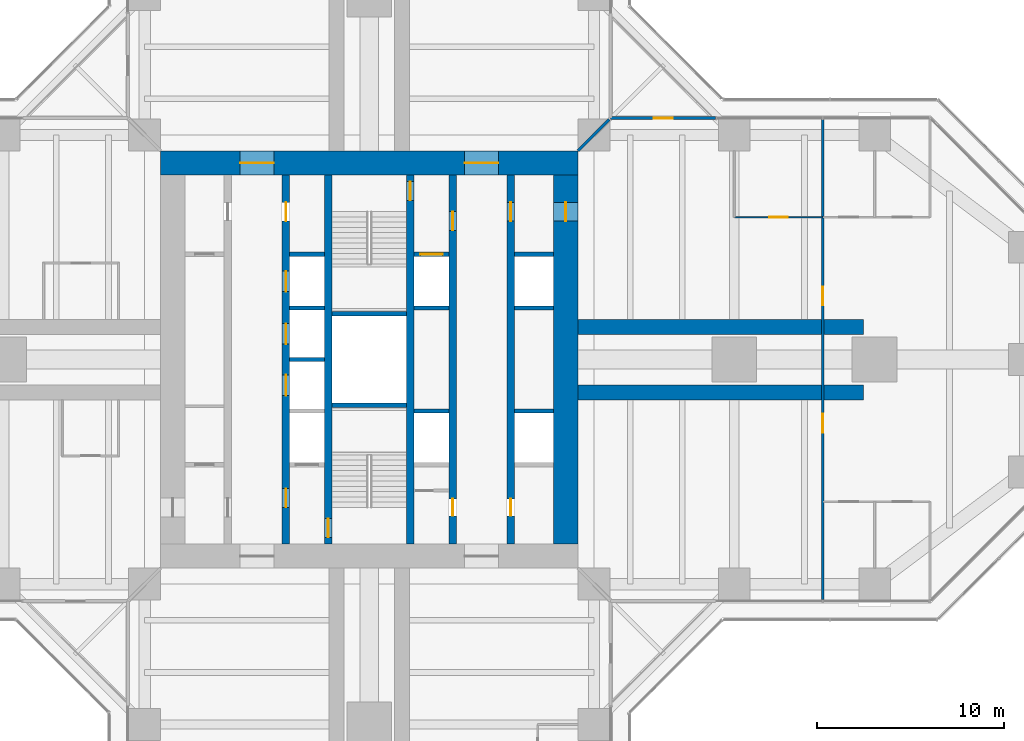
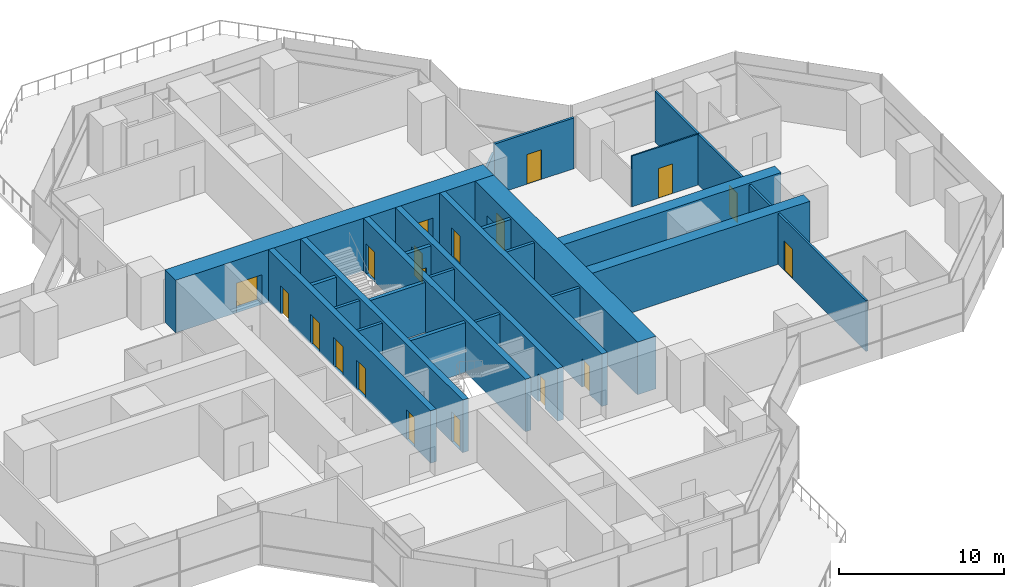
# One storey, part 18 of 21: 24 walls, 19 doors, 19 openings.
"""IFC4 building model written with IfcOpenShell, lengths in metres."""

from ifc_helpers import new_model, si_unit, direction, frame, frame_2d, origin, place, context, subcontext, project, spatial, rectangle, extrude, material, layer, layer_set, type_object, element, fill, save


model = new_model("IFC4")

# Units and contexts
model_context = context("Model", 3, precision=1e-05, world=origin(), true_north=direction((0.0, 1.0)))
body_context = subcontext(model_context, "Body", "Model", "MODEL_VIEW")
ifc_project = project(units=[si_unit("LENGTHUNIT", "METRE"), si_unit("AREAUNIT", "SQUARE_METRE"), si_unit("VOLUMEUNIT", "CUBIC_METRE"), si_unit("PLANEANGLEUNIT", "RADIAN"), si_unit("MASSUNIT", "GRAM", prefix="KILO")], contexts=[model_context])

# Site, building, storey
site_placement = place(None, origin())
site = spatial("IfcSite", under=ifc_project, at=site_placement, CompositionType="ELEMENT")
building_placement = place(site_placement, origin())
building = spatial("IfcBuilding", under=site, at=building_placement, Name="Mizan Broadcast Tower", CompositionType="ELEMENT")
storey_placement = place(building_placement, frame((0.0, 0.0, 124.199951171875)))
storey = spatial("IfcBuildingStorey", under=building, at=storey_placement, Name="L27", CompositionType="ELEMENT", Elevation=124.199951171875)

# Wall, openings, doors
ifc_material_1 = material(Name="Concrete C70/85", Category="concrete")
ifc_layer_1 = layer(ifc_material_1, 0.39990234375)
ifc_layer_set_1 = layer_set([ifc_layer_1], Name="Concrete C70/85")
wall_type_1 = type_object("IfcWallType", Name="CORE INTERNAL WALL 400", PredefinedType="SHEAR", material=ifc_layer_set_1)
wall_1_placement = place(storey_placement, frame((7.550048828125, 9.85009765625, 0.0), z_axis=(0.0, 0.0, 1.0), x_axis=(0.0, -1.0, 0.0)))
wall_1 = element("IfcWall", 1, at=wall_1_placement, inside=storey, type_object=wall_type_1, Name="Core wall CORE/XW1E", PredefinedType="SHEAR", context=body_context, shape_type="SweptSolid", body=[
    extrude(rectangle(XDim=19.7001953125, YDim=0.39990234375, at=frame_2d((9.85009765625, 0.0))), origin(), (0.0, 0.0, 1.0), 3.900146484375),
])
opening_1_placement = place(wall_1_placement, frame((1.449951171875, 0.0, 0.0)))
opening_1 = element("IfcOpeningElement", 2, at=opening_1_placement, cuts=wall_1, Name="Opening D10F", PredefinedType="OPENING", context=body_context, shape_type="SweptSolid", body=[
    extrude(rectangle(XDim=1.0, YDim=2.199951171875, at=frame_2d((0.5, 1.10009765625))), frame((0.0, 0.2099609375, 0.0), z_axis=(0.0, -1.0, 0.0), x_axis=(1.0, 0.0, 0.0)), (0.0, 0.0, 1.0), 0.419921875),
])
opening_2_placement = place(wall_1_placement, frame((17.300048828125, 0.0, 0.0)))
opening_2 = element("IfcOpeningElement", 3, at=opening_2_placement, cuts=wall_1, Name="Opening D09", PredefinedType="OPENING", context=body_context, shape_type="SweptSolid", body=[
    extrude(rectangle(XDim=0.89990234375, YDim=2.10009765625, at=frame_2d((0.449951171875, 1.050048828125))), frame((0.0, 0.2099609375, 0.0), z_axis=(0.0, -1.0, 0.0), x_axis=(1.0, 0.0, 0.0)), (0.0, 0.0, 1.0), 0.419921875),
])
ifc_material_2 = material(Name="Steel door leaf in steel frame", Category="steel")
door_type_1 = type_object("IfcDoorType", Name="FIRE DOOR 1000 FD90", OperationType="SINGLE_SWING_LEFT", PredefinedType="DOOR", material=ifc_material_2)
door_1_placement = place(opening_1_placement, origin())
door_1 = element("IfcDoor", 4, at=door_1_placement, inside=storey, type_object=door_type_1, Name="East core passage door", OperationType="SINGLE_SWING_LEFT", OverallHeight=2.199951171875, OverallWidth=1.0, PredefinedType="DOOR", context=body_context, shape_type="SweptSolid", body=[
    extrude(rectangle(XDim=1.0, YDim=2.199951171875, at=frame_2d((0.5, 1.10009765625))), frame((0.0, 0.02490234375, 0.0), z_axis=(0.0, -1.0, 0.0), x_axis=(1.0, 0.0, 0.0)), (0.0, 0.0, 1.0), 0.050048828125),
])
fill(opening_1, door_1)
ifc_material_3 = material(Name="Timber door leaf in aluminium frame", Category="wood")
door_type_2 = type_object("IfcDoorType", Name="TOILET DOOR 900", OperationType="SINGLE_SWING_LEFT", PredefinedType="DOOR", material=ifc_material_3)
door_2_placement = place(opening_2_placement, origin())
door_2 = element("IfcDoor", 5, at=door_2_placement, inside=storey, type_object=door_type_2, Name="Female WC door", OperationType="SINGLE_SWING_RIGHT", OverallHeight=2.10009765625, OverallWidth=0.89990234375, PredefinedType="DOOR", context=body_context, shape_type="SweptSolid", body=[
    extrude(rectangle(XDim=0.89990234375, YDim=2.10009765625, at=frame_2d((0.449951171875, 1.050048828125))), frame((0.0, 0.02490234375, 0.0), z_axis=(0.0, -1.0, 0.0), x_axis=(1.0, 0.0, 0.0)), (0.0, 0.0, 1.0), 0.050048828125),
])
fill(opening_2, door_2)

wall_2_placement = place(storey_placement, frame((-4.449951171875, -9.85009765625, 0.0), z_axis=(0.0, 0.0, 1.0), x_axis=(0.0, 1.0, 0.0)))
wall_2 = element("IfcWall", 6, at=wall_2_placement, inside=storey, type_object=wall_type_1, Name="Core wall CORE/XWH", PredefinedType="SHEAR", context=body_context, shape_type="SweptSolid", body=[
    extrude(rectangle(XDim=19.7001953125, YDim=0.39990234375, at=frame_2d((9.85009765625, 0.0))), origin(), (0.0, 0.0, 1.0), 3.900146484375),
])
opening_3_placement = place(wall_2_placement, frame((1.949951171875, 0.0, 0.0)))
opening_3 = element("IfcOpeningElement", 7, at=opening_3_placement, cuts=wall_2, Name="Opening D10F", PredefinedType="OPENING", context=body_context, shape_type="SweptSolid", body=[
    extrude(rectangle(XDim=1.0, YDim=2.199951171875, at=frame_2d((0.5, 1.10009765625))), frame((0.0, 0.2099609375, 0.0), z_axis=(0.0, -1.0, 0.0), x_axis=(1.0, 0.0, 0.0)), (0.0, 0.0, 1.0), 0.419921875),
])
opening_4_placement = place(wall_2_placement, frame((17.25, 0.0, 0.0)))
opening_4 = element("IfcOpeningElement", 8, at=opening_4_placement, cuts=wall_2, Name="Opening D10A", PredefinedType="OPENING", context=body_context, shape_type="SweptSolid", body=[
    extrude(rectangle(XDim=1.0, YDim=2.10009765625, at=frame_2d((0.5, 1.050048828125))), frame((0.0, 0.2099609375, 0.0), z_axis=(0.0, -1.0, 0.0), x_axis=(1.0, 0.0, 0.0)), (0.0, 0.0, 1.0), 0.419921875),
])
opening_5_placement = place(wall_2_placement, frame((7.925048828125, 0.0, 0.0)))
opening_5 = element("IfcOpeningElement", 9, at=opening_5_placement, cuts=wall_2, Name="Opening LD", PredefinedType="OPENING", context=body_context, shape_type="SweptSolid", body=[
    extrude(rectangle(XDim=1.10009765625, YDim=2.199951171875, at=frame_2d((0.550048828125, 1.10009765625))), frame((0.0, 0.2099609375, 0.0), z_axis=(0.0, -1.0, 0.0), x_axis=(1.0, 0.0, 0.0)), (0.0, 0.0, 1.0), 0.419921875),
])
opening_6_placement = place(wall_2_placement, frame((10.675048828125, 0.0, 0.0)))
opening_6 = element("IfcOpeningElement", 10, at=opening_6_placement, cuts=wall_2, Name="Opening LD", PredefinedType="OPENING", context=body_context, shape_type="SweptSolid", body=[
    extrude(rectangle(XDim=1.10009765625, YDim=2.199951171875, at=frame_2d((0.550048828125, 1.10009765625))), frame((0.0, 0.2099609375, 0.0), z_axis=(0.0, -1.0, 0.0), x_axis=(1.0, 0.0, 0.0)), (0.0, 0.0, 1.0), 0.419921875),
])
opening_7_placement = place(wall_2_placement, frame((13.47509765625, 0.0, 0.0)))
opening_7 = element("IfcOpeningElement", 11, at=opening_7_placement, cuts=wall_2, Name="Opening LD", PredefinedType="OPENING", context=body_context, shape_type="SweptSolid", body=[
    extrude(rectangle(XDim=1.10009765625, YDim=2.199951171875, at=frame_2d((0.550048828125, 1.10009765625))), frame((0.0, 0.2099609375, 0.0), z_axis=(0.0, -1.0, 0.0), x_axis=(1.0, 0.0, 0.0)), (0.0, 0.0, 1.0), 0.419921875),
])
ifc_material_4 = material(Name="Timber door leaf in aluminium frame", Category="wood")
door_type_3 = type_object("IfcDoorType", Name="ACCESSIBLE WC DOOR 1000", OperationType="SLIDING_TO_LEFT", PredefinedType="DOOR", material=ifc_material_4)
door_3_placement = place(opening_4_placement, origin())
door_3 = element("IfcDoor", 12, at=door_3_placement, inside=storey, type_object=door_type_3, Name="Accessible WC door", OperationType="SLIDING_TO_LEFT", OverallHeight=2.10009765625, OverallWidth=1.0, PredefinedType="DOOR", context=body_context, shape_type="SweptSolid", body=[
    extrude(rectangle(XDim=1.0, YDim=2.10009765625, at=frame_2d((0.5, 1.050048828125))), frame((0.0, 0.02490234375, 0.0), z_axis=(0.0, -1.0, 0.0), x_axis=(1.0, 0.0, 0.0)), (0.0, 0.0, 1.0), 0.050048828125),
])
fill(opening_4, door_3)
door_4_placement = place(opening_3_placement, origin())
door_4 = element("IfcDoor", 13, at=door_4_placement, inside=storey, type_object=door_type_1, Name="Firefighting lobby A door", OperationType="SINGLE_SWING_LEFT", OverallHeight=2.199951171875, OverallWidth=1.0, PredefinedType="DOOR", context=body_context, shape_type="SweptSolid", body=[
    extrude(rectangle(XDim=1.0, YDim=2.199951171875, at=frame_2d((0.5, 1.10009765625))), frame((0.0, 0.02490234375, 0.0), z_axis=(0.0, -1.0, 0.0), x_axis=(1.0, 0.0, 0.0)), (0.0, 0.0, 1.0), 0.050048828125),
])
fill(opening_3, door_4)
ifc_material_5 = material(Name="Steel door leaf in steel frame", Category="steel")
door_type_4 = type_object("IfcDoorType", Name="LIFT LANDING DOOR 1100", OperationType="SLIDING_TO_LEFT", PredefinedType="DOOR", material=ifc_material_5)
door_5_placement = place(opening_5_placement, origin())
door_5 = element("IfcDoor", 14, at=door_5_placement, inside=storey, type_object=door_type_4, Name="Landing door LB1", OperationType="SLIDING_TO_LEFT", OverallHeight=2.199951171875, OverallWidth=1.10009765625, PredefinedType="DOOR", context=body_context, shape_type="SweptSolid", body=[
    extrude(rectangle(XDim=1.10009765625, YDim=2.199951171875, at=frame_2d((0.550048828125, 1.10009765625))), frame((0.0, 0.02490234375, 0.0), z_axis=(0.0, -1.0, 0.0), x_axis=(1.0, 0.0, 0.0)), (0.0, 0.0, 1.0), 0.050048828125),
])
fill(opening_5, door_5)
door_6_placement = place(opening_6_placement, origin())
door_6 = element("IfcDoor", 15, at=door_6_placement, inside=storey, type_object=door_type_4, Name="Landing door LB2", OperationType="SLIDING_TO_LEFT", OverallHeight=2.199951171875, OverallWidth=1.10009765625, PredefinedType="DOOR", context=body_context, shape_type="SweptSolid", body=[
    extrude(rectangle(XDim=1.10009765625, YDim=2.199951171875, at=frame_2d((0.550048828125, 1.10009765625))), frame((0.0, 0.02490234375, 0.0), z_axis=(0.0, -1.0, 0.0), x_axis=(1.0, 0.0, 0.0)), (0.0, 0.0, 1.0), 0.050048828125),
])
fill(opening_6, door_6)
door_7_placement = place(opening_7_placement, origin())
door_7 = element("IfcDoor", 16, at=door_7_placement, inside=storey, type_object=door_type_4, Name="Landing door LB3", OperationType="SLIDING_TO_LEFT", OverallHeight=2.199951171875, OverallWidth=1.10009765625, PredefinedType="DOOR", context=body_context, shape_type="SweptSolid", body=[
    extrude(rectangle(XDim=1.10009765625, YDim=2.199951171875, at=frame_2d((0.550048828125, 1.10009765625))), frame((0.0, 0.02490234375, 0.0), z_axis=(0.0, -1.0, 0.0), x_axis=(1.0, 0.0, 0.0)), (0.0, 0.0, 1.0), 0.050048828125),
])
fill(opening_7, door_7)

wall_3_placement = place(storey_placement, frame((4.449951171875, 9.85009765625, 0.0), z_axis=(0.0, 0.0, 1.0), x_axis=(0.0, -1.0, 0.0)))
wall_3 = element("IfcWall", 17, at=wall_3_placement, inside=storey, type_object=wall_type_1, Name="Core wall CORE/XWHE", PredefinedType="SHEAR", context=body_context, shape_type="SweptSolid", body=[
    extrude(rectangle(XDim=19.7001953125, YDim=0.39990234375, at=frame_2d((9.85009765625, 0.0))), origin(), (0.0, 0.0, 1.0), 3.900146484375),
])
opening_8_placement = place(wall_3_placement, frame((1.949951171875, 0.0, 0.0)))
opening_8 = element("IfcOpeningElement", 18, at=opening_8_placement, cuts=wall_3, Name="Opening D10F", PredefinedType="OPENING", context=body_context, shape_type="SweptSolid", body=[
    extrude(rectangle(XDim=1.0, YDim=2.199951171875, at=frame_2d((0.5, 1.10009765625))), frame((0.0, 0.2099609375, 0.0), z_axis=(0.0, -1.0, 0.0), x_axis=(1.0, 0.0, 0.0)), (0.0, 0.0, 1.0), 0.419921875),
])
opening_9_placement = place(wall_3_placement, frame((17.300048828125, 0.0, 0.0)))
opening_9 = element("IfcOpeningElement", 19, at=opening_9_placement, cuts=wall_3, Name="Opening D09", PredefinedType="OPENING", context=body_context, shape_type="SweptSolid", body=[
    extrude(rectangle(XDim=0.89990234375, YDim=2.10009765625, at=frame_2d((0.449951171875, 1.050048828125))), frame((0.0, 0.2099609375, 0.0), z_axis=(0.0, -1.0, 0.0), x_axis=(1.0, 0.0, 0.0)), (0.0, 0.0, 1.0), 0.419921875),
])
door_8_placement = place(opening_8_placement, origin())
door_8 = element("IfcDoor", 20, at=door_8_placement, inside=storey, type_object=door_type_1, Name="Firefighting lobby B door", OperationType="SINGLE_SWING_LEFT", OverallHeight=2.199951171875, OverallWidth=1.0, PredefinedType="DOOR", context=body_context, shape_type="SweptSolid", body=[
    extrude(rectangle(XDim=1.0, YDim=2.199951171875, at=frame_2d((0.5, 1.10009765625))), frame((0.0, 0.02490234375, 0.0), z_axis=(0.0, -1.0, 0.0), x_axis=(1.0, 0.0, 0.0)), (0.0, 0.0, 1.0), 0.050048828125),
])
fill(opening_8, door_8)
door_9_placement = place(opening_9_placement, origin())
door_9 = element("IfcDoor", 21, at=door_9_placement, inside=storey, type_object=door_type_2, Name="Cleaner's store door", OperationType="SINGLE_SWING_RIGHT", OverallHeight=2.10009765625, OverallWidth=0.89990234375, PredefinedType="DOOR", context=body_context, shape_type="SweptSolid", body=[
    extrude(rectangle(XDim=0.89990234375, YDim=2.10009765625, at=frame_2d((0.449951171875, 1.050048828125))), frame((0.0, 0.02490234375, 0.0), z_axis=(0.0, -1.0, 0.0), x_axis=(1.0, 0.0, 0.0)), (0.0, 0.0, 1.0), 0.050048828125),
])
fill(opening_9, door_9)

# Wall, opening, door
wall_4_placement = place(storey_placement, frame((-2.199951171875, -9.85009765625, 0.0), z_axis=(0.0, 0.0, 1.0), x_axis=(0.0, 1.0, 0.0)))
wall_4 = element("IfcWall", 22, at=wall_4_placement, inside=storey, type_object=wall_type_1, Name="Core wall CORE/XW2", PredefinedType="SHEAR", context=body_context, shape_type="SweptSolid", body=[
    extrude(rectangle(XDim=19.7001953125, YDim=0.39990234375, at=frame_2d((9.85009765625, 0.0))), origin(), (0.0, 0.0, 1.0), 3.900146484375),
])
opening_10_placement = place(wall_4_placement, frame((0.35009765625, 0.0, 0.0)))
opening_10 = element("IfcOpeningElement", 23, at=opening_10_placement, cuts=wall_4, Name="Opening D10S", PredefinedType="OPENING", context=body_context, shape_type="SweptSolid", body=[
    extrude(rectangle(XDim=1.0, YDim=2.199951171875, at=frame_2d((0.5, 1.10009765625))), frame((0.0, 0.2099609375, 0.0), z_axis=(0.0, -1.0, 0.0), x_axis=(1.0, 0.0, 0.0)), (0.0, 0.0, 1.0), 0.419921875),
])
ifc_material_6 = material(Name="Steel door leaf in steel frame", Category="steel")
door_type_5 = type_object("IfcDoorType", Name="STAIR DOOR 1000 FD90S", OperationType="SINGLE_SWING_RIGHT", PredefinedType="DOOR", material=ifc_material_6)
door_10_placement = place(opening_10_placement, origin())
door_10 = element("IfcDoor", 24, at=door_10_placement, inside=storey, type_object=door_type_5, Name="Stair A door", OperationType="SINGLE_SWING_RIGHT", OverallHeight=2.199951171875, OverallWidth=1.0, PredefinedType="DOOR", context=body_context, shape_type="SweptSolid", body=[
    extrude(rectangle(XDim=1.0, YDim=2.199951171875, at=frame_2d((0.5, 1.10009765625))), frame((0.0, 0.02490234375, 0.0), z_axis=(0.0, -1.0, 0.0), x_axis=(1.0, 0.0, 0.0)), (0.0, 0.0, 1.0), 0.050048828125),
])
fill(opening_10, door_10)

wall_5_placement = place(storey_placement, frame((2.199951171875, 9.85009765625, 0.0), z_axis=(0.0, 0.0, 1.0), x_axis=(0.0, -1.0, 0.0)))
wall_5 = element("IfcWall", 25, at=wall_5_placement, inside=storey, type_object=wall_type_1, Name="Core wall CORE/XW2E", PredefinedType="SHEAR", context=body_context, shape_type="SweptSolid", body=[
    extrude(rectangle(XDim=19.7001953125, YDim=0.39990234375, at=frame_2d((9.85009765625, 0.0))), origin(), (0.0, 0.0, 1.0), 3.900146484375),
])
opening_11_placement = place(wall_5_placement, frame((0.35009765625, 0.0, 0.0)))
opening_11 = element("IfcOpeningElement", 26, at=opening_11_placement, cuts=wall_5, Name="Opening D10S", PredefinedType="OPENING", context=body_context, shape_type="SweptSolid", body=[
    extrude(rectangle(XDim=1.0, YDim=2.199951171875, at=frame_2d((0.5, 1.10009765625))), frame((0.0, 0.2099609375, 0.0), z_axis=(0.0, -1.0, 0.0), x_axis=(1.0, 0.0, 0.0)), (0.0, 0.0, 1.0), 0.419921875),
])
door_11_placement = place(opening_11_placement, origin())
door_11 = element("IfcDoor", 27, at=door_11_placement, inside=storey, type_object=door_type_5, Name="Stair B door", OperationType="SINGLE_SWING_RIGHT", OverallHeight=2.199951171875, OverallWidth=1.0, PredefinedType="DOOR", context=body_context, shape_type="SweptSolid", body=[
    extrude(rectangle(XDim=1.0, YDim=2.199951171875, at=frame_2d((0.5, 1.10009765625))), frame((0.0, 0.02490234375, 0.0), z_axis=(0.0, -1.0, 0.0), x_axis=(1.0, 0.0, 0.0)), (0.0, 0.0, 1.0), 0.050048828125),
])
fill(opening_11, door_11)

# Wall, openings, doors
ifc_material_7 = material(Name="Concrete C70/85", Category="concrete")
ifc_layer_2 = layer(ifc_material_7, 1.300048828125)
ifc_layer_set_2 = layer_set([ifc_layer_2], Name="Concrete C70/85")
wall_type_2 = type_object("IfcWallType", Name="CORE WALL 1300", PredefinedType="SHEAR", material=ifc_layer_set_2)
wall_6_placement = place(storey_placement, frame((-11.14990234375, 10.5, 0.0), z_axis=(0.0, 0.0, 1.0), x_axis=(1.0, 0.0, 0.0)))
wall_6 = element("IfcWall", 28, at=wall_6_placement, inside=storey, type_object=wall_type_2, Name="Core wall N L27", PredefinedType="SHEAR", context=body_context, shape_type="SweptSolid", body=[
    extrude(rectangle(XDim=22.2998046875, YDim=1.300048828125, at=frame_2d((11.14990234375, 0.0))), origin(), (0.0, 0.0, 1.0), 3.900146484375),
])
opening_12_placement = place(wall_6_placement, frame((4.25, 0.0, 0.0)))
opening_12 = element("IfcOpeningElement", 29, at=opening_12_placement, cuts=wall_6, Name="Opening D18F", PredefinedType="OPENING", context=body_context, shape_type="SweptSolid", body=[
    extrude(rectangle(XDim=1.800048828125, YDim=2.199951171875, at=frame_2d((0.89990234375, 1.10009765625))), frame((0.0, 0.659912109375, 0.0), z_axis=(0.0, -1.0, 0.0), x_axis=(1.0, 0.0, 0.0)), (0.0, 0.0, 1.0), 1.320068359375),
])
opening_13_placement = place(wall_6_placement, frame((16.25, 0.0, 0.0)))
opening_13 = element("IfcOpeningElement", 30, at=opening_13_placement, cuts=wall_6, Name="Opening D18F", PredefinedType="OPENING", context=body_context, shape_type="SweptSolid", body=[
    extrude(rectangle(XDim=1.800048828125, YDim=2.199951171875, at=frame_2d((0.89990234375, 1.10009765625))), frame((0.0, 0.659912109375, 0.0), z_axis=(0.0, -1.0, 0.0), x_axis=(1.0, 0.0, 0.0)), (0.0, 0.0, 1.0), 1.320068359375),
])
ifc_material_8 = material(Name="Steel door leaf in steel frame", Category="steel")
door_type_6 = type_object("IfcDoorType", Name="LOBBY DOUBLE DOOR 1800 FD90", OperationType="DOUBLE_DOOR_DOUBLE_SWING", PredefinedType="DOOR", material=ifc_material_8)
door_12_placement = place(opening_12_placement, origin())
door_12 = element("IfcDoor", 31, at=door_12_placement, inside=storey, type_object=door_type_6, Name="West lift lobby north door", OperationType="DOUBLE_DOOR_DOUBLE_SWING", OverallHeight=2.199951171875, OverallWidth=1.800048828125, PredefinedType="DOOR", context=body_context, shape_type="SweptSolid", body=[
    extrude(rectangle(XDim=1.800048828125, YDim=2.199951171875, at=frame_2d((0.89990234375, 1.10009765625))), frame((0.0, 0.02490234375, 0.0), z_axis=(0.0, -1.0, 0.0), x_axis=(1.0, 0.0, 0.0)), (0.0, 0.0, 1.0), 0.050048828125),
])
fill(opening_12, door_12)
door_13_placement = place(opening_13_placement, origin())
door_13 = element("IfcDoor", 32, at=door_13_placement, inside=storey, type_object=door_type_6, Name="East lift lobby north door", OperationType="DOUBLE_DOOR_DOUBLE_SWING", OverallHeight=2.199951171875, OverallWidth=1.800048828125, PredefinedType="DOOR", context=body_context, shape_type="SweptSolid", body=[
    extrude(rectangle(XDim=1.800048828125, YDim=2.199951171875, at=frame_2d((0.89990234375, 1.10009765625))), frame((0.0, 0.02490234375, 0.0), z_axis=(0.0, -1.0, 0.0), x_axis=(1.0, 0.0, 0.0)), (0.0, 0.0, 1.0), 0.050048828125),
])
fill(opening_13, door_13)

# Wall, opening, door
wall_7_placement = place(storey_placement, frame((10.5, -9.85009765625, 0.0), z_axis=(0.0, 0.0, 1.0), x_axis=(0.0, 1.0, 0.0)))
wall_7 = element("IfcWall", 33, at=wall_7_placement, inside=storey, type_object=wall_type_2, Name="Core wall E L27", PredefinedType="SHEAR", context=body_context, shape_type="SweptSolid", body=[
    extrude(rectangle(XDim=19.7001953125, YDim=1.300048828125, at=frame_2d((9.85009765625, 0.0))), origin(), (0.0, 0.0, 1.0), 3.900146484375),
])
opening_14_placement = place(wall_7_placement, frame((17.25, 0.0, 0.0)))
opening_14 = element("IfcOpeningElement", 34, at=opening_14_placement, cuts=wall_7, Name="Opening D10F", PredefinedType="OPENING", context=body_context, shape_type="SweptSolid", body=[
    extrude(rectangle(XDim=1.0, YDim=2.199951171875, at=frame_2d((0.5, 1.10009765625))), frame((0.0, 0.659912109375, 0.0), z_axis=(0.0, -1.0, 0.0), x_axis=(1.0, 0.0, 0.0)), (0.0, 0.0, 1.0), 1.320068359375),
])
door_14_placement = place(opening_14_placement, origin())
door_14 = element("IfcDoor", 35, at=door_14_placement, inside=storey, type_object=door_type_1, Name="East core passage arm door", OperationType="SINGLE_SWING_RIGHT", OverallHeight=2.199951171875, OverallWidth=1.0, PredefinedType="DOOR", context=body_context, shape_type="SweptSolid", body=[
    extrude(rectangle(XDim=1.0, YDim=2.199951171875, at=frame_2d((0.5, 1.10009765625))), frame((0.0, 0.02490234375, 0.0), z_axis=(0.0, -1.0, 0.0), x_axis=(1.0, 0.0, 0.0)), (0.0, 0.0, 1.0), 0.050048828125),
])
fill(opening_14, door_14)

ifc_material_9 = material(Name="Aluminium framed glazed screen", Category="aluminium")
ifc_layer_3 = layer(ifc_material_9, 0.159912109375)
ifc_layer_set_3 = layer_set([ifc_layer_3], Name="Aluminium framed glazed screen")
wall_type_3 = type_object("IfcWallType", Name="GLAZED SCREEN WALL 160", PredefinedType="SOLIDWALL", material=ifc_layer_set_3)
wall_8_placement = place(storey_placement, frame((18.5, 12.89990234375, 0.0), z_axis=(0.0, 0.0, 1.0), x_axis=(-1.0, 0.0, 0.0)))
wall_8 = element("IfcWall", 36, at=wall_8_placement, inside=storey, type_object=wall_type_3, Name="Winter garden screen L27 E", PredefinedType="SOLIDWALL", context=body_context, shape_type="SweptSolid", body=[
    extrude(rectangle(XDim=5.60009765625, YDim=0.159912109375, at=frame_2d((2.800048828125, 0.0))), origin(), (0.0, 0.0, 1.0), 3.77001953125),
])
opening_15_placement = place(wall_8_placement, frame((2.300048828125, 0.0, 0.0)))
opening_15 = element("IfcOpeningElement", 37, at=opening_15_placement, cuts=wall_8, Name="Opening WGD", PredefinedType="OPENING", context=body_context, shape_type="SweptSolid", body=[
    extrude(rectangle(XDim=1.0, YDim=2.199951171875, at=frame_2d((0.5, 1.10009765625))), frame((0.0, 0.08984375, 0.0), z_axis=(0.0, -1.0, 0.0), x_axis=(1.0, 0.0, 0.0)), (0.0, 0.0, 1.0), 0.179931640625),
])
ifc_material_10 = material(Name="Aluminium framed glazed door", Category="aluminium")
door_type_7 = type_object("IfcDoorType", Name="WINTER GARDEN DOOR 1000 GLAZED", OperationType="SINGLE_SWING_LEFT", PredefinedType="DOOR", material=ifc_material_10)
door_15_placement = place(opening_15_placement, origin())
door_15 = element("IfcDoor", 38, at=door_15_placement, inside=storey, type_object=door_type_7, Name="Winter garden door L27 E", OperationType="SINGLE_SWING_RIGHT", OverallHeight=2.199951171875, OverallWidth=1.0, PredefinedType="DOOR", context=body_context, shape_type="SweptSolid", body=[
    extrude(rectangle(XDim=1.0, YDim=2.199951171875, at=frame_2d((0.5, 1.10009765625))), frame((0.0, 0.02490234375, 0.0), z_axis=(0.0, -1.0, 0.0), x_axis=(1.0, 0.0, 0.0)), (0.0, 0.0, 1.0), 0.050048828125),
])
fill(opening_15, door_15)

# Walls
ifc_material_11 = material(Name="Concrete blockwork", Category="masonry")
ifc_layer_4 = layer(ifc_material_11, 0.199951171875)
ifc_layer_set_4 = layer_set([ifc_layer_4], Name="Concrete blockwork")
wall_type_4 = type_object("IfcWallType", Name="LIFT SHAFT WALL 200", PredefinedType="SOLIDWALL", material=ifc_layer_set_4)
wall_9_placement = place(storey_placement, frame((2.39990234375, -2.75, 0.0), z_axis=(0.0, 0.0, 1.0), x_axis=(1.0, 0.0, 0.0)))
element("IfcWall", 39, at=wall_9_placement, inside=storey, type_object=wall_type_4, Name="Lift shaft wall CORE/SE2-1", PredefinedType="SOLIDWALL", context=body_context, shape_type="SweptSolid", body=[
    extrude(rectangle(XDim=1.85009765625, YDim=0.199951171875, at=frame_2d((0.925048828125, 0.0))), origin(), (0.0, 0.0, 1.0), 3.699951171875),
])
wall_10_placement = place(storey_placement, frame((7.75, -2.75, 0.0), z_axis=(0.0, 0.0, 1.0), x_axis=(1.0, 0.0, 0.0)))
element("IfcWall", 40, at=wall_10_placement, inside=storey, type_object=wall_type_4, Name="Lift shaft wall CORE/SE1-1", PredefinedType="SOLIDWALL", context=body_context, shape_type="SweptSolid", body=[
    extrude(rectangle(XDim=2.10009765625, YDim=0.199951171875, at=frame_2d((1.050048828125, 0.0))), origin(), (0.0, 0.0, 1.0), 3.699951171875),
])
for number, where, z_axis, x_axis, name in (
    (41, (-4.25, 0.0, 0.0), (0.0, 0.0, 1.0), (1.0, 0.0, 0.0), "Lift shaft wall CORE/SW2-2"),
    (42, (-4.25, 2.75, 0.0), (0.0, 0.0, 1.0), (1.0, 0.0, 0.0), "Lift shaft wall CORE/SW2-3"),
    (43, (2.39990234375, 2.75, 0.0), (0.0, 0.0, 1.0), (1.0, 0.0, 0.0), "Lift shaft wall CORE/SE2-3"),
):
    element("IfcWall", number, at=place(storey_placement, frame(where, z_axis=z_axis, x_axis=x_axis)), inside=storey, type_object=wall_type_4, Name=name, PredefinedType="SOLIDWALL", context=body_context, shape_type="SweptSolid", body=[
        extrude(rectangle(XDim=1.85009765625, YDim=0.199951171875, at=frame_2d((0.925048828125, 0.0))), origin(), (0.0, 0.0, 1.0), 3.699951171875),
    ])
wall_11_placement = place(storey_placement, frame((7.75, 2.75, 0.0), z_axis=(0.0, 0.0, 1.0), x_axis=(1.0, 0.0, 0.0)))
element("IfcWall", 44, at=wall_11_placement, inside=storey, type_object=wall_type_4, Name="Lift shaft wall CORE/SE1-3", PredefinedType="SOLIDWALL", context=body_context, shape_type="SweptSolid", body=[
    extrude(rectangle(XDim=2.10009765625, YDim=0.199951171875, at=frame_2d((1.050048828125, 0.0))), origin(), (0.0, 0.0, 1.0), 3.699951171875),
])
ifc_material_12 = material(Name="Concrete blockwork", Category="masonry")
ifc_layer_5 = layer(ifc_material_12, 0.25)
ifc_layer_set_5 = layer_set([ifc_layer_5], Name="Concrete blockwork")
wall_type_5 = type_object("IfcWallType", Name="LOBBY ENCLOSURE WALL 250", PredefinedType="SOLIDWALL", material=ifc_layer_set_5)
wall_12_placement = place(storey_placement, frame((-4.25, 5.625, 0.0), z_axis=(0.0, 0.0, 1.0), x_axis=(1.0, 0.0, 0.0)))
element("IfcWall", 45, at=wall_12_placement, inside=storey, type_object=wall_type_5, Name="Lobby enclosure wall CORE/BW2N", PredefinedType="SOLIDWALL", context=body_context, shape_type="SweptSolid", body=[
    extrude(rectangle(XDim=1.85009765625, YDim=0.25, at=frame_2d((0.925048828125, 0.0))), origin(), (0.0, 0.0, 1.0), 3.699951171875),
])

# Wall, opening, door
wall_13_placement = place(storey_placement, frame((2.39990234375, 5.625, 0.0), z_axis=(0.0, 0.0, 1.0), x_axis=(1.0, 0.0, 0.0)))
wall_13 = element("IfcWall", 46, at=wall_13_placement, inside=storey, type_object=wall_type_5, Name="Lobby enclosure wall CORE/BE2N", PredefinedType="SOLIDWALL", context=body_context, shape_type="SweptSolid", body=[
    extrude(rectangle(XDim=1.85009765625, YDim=0.25, at=frame_2d((0.925048828125, 0.0))), origin(), (0.0, 0.0, 1.0), 3.699951171875),
])
opening_16_placement = place(wall_13_placement, frame((0.324951171875, 0.0, 0.0)))
opening_16 = element("IfcOpeningElement", 47, at=opening_16_placement, cuts=wall_13, Name="Opening LDF", PredefinedType="OPENING", context=body_context, shape_type="SweptSolid", body=[
    extrude(rectangle(XDim=1.199951171875, YDim=2.199951171875, at=frame_2d((0.60009765625, 1.10009765625))), frame((0.0, 0.135009765625, 0.0), z_axis=(0.0, -1.0, 0.0), x_axis=(1.0, 0.0, 0.0)), (0.0, 0.0, 1.0), 0.27001953125),
])
ifc_material_13 = material(Name="Steel door leaf in steel frame", Category="steel")
door_type_8 = type_object("IfcDoorType", Name="FIREFIGHTING LIFT LANDING DOOR 1200", OperationType="SLIDING_TO_LEFT", PredefinedType="DOOR", material=ifc_material_13)
door_16_placement = place(opening_16_placement, origin())
door_16 = element("IfcDoor", 48, at=door_16_placement, inside=storey, type_object=door_type_8, Name="Landing door FF2", OperationType="SLIDING_TO_LEFT", OverallHeight=2.199951171875, OverallWidth=1.199951171875, PredefinedType="DOOR", context=body_context, shape_type="SweptSolid", body=[
    extrude(rectangle(XDim=1.199951171875, YDim=2.199951171875, at=frame_2d((0.60009765625, 1.10009765625))), frame((0.0, 0.02490234375, 0.0), z_axis=(0.0, -1.0, 0.0), x_axis=(1.0, 0.0, 0.0)), (0.0, 0.0, 1.0), 0.050048828125),
])
fill(opening_16, door_16)

# Walls
wall_14_placement = place(storey_placement, frame((7.75, 5.625, 0.0), z_axis=(0.0, 0.0, 1.0), x_axis=(1.0, 0.0, 0.0)))
element("IfcWall", 49, at=wall_14_placement, inside=storey, type_object=wall_type_5, Name="Lobby enclosure wall CORE/BE1N", PredefinedType="SOLIDWALL", context=body_context, shape_type="SweptSolid", body=[
    extrude(rectangle(XDim=2.10009765625, YDim=0.25, at=frame_2d((1.050048828125, 0.0))), origin(), (0.0, 0.0, 1.0), 3.699951171875),
])
for number, where, z_axis, x_axis, name in (
    (50, (-2.0, -2.449951171875, 0.0), (0.0, 0.0, 1.0), (1.0, 0.0, 0.0), "Lobby enclosure wall CORE/STA"),
    (51, (-2.0, 2.449951171875, 0.0), (0.0, 0.0, 1.0), (1.0, 0.0, 0.0), "Lobby enclosure wall CORE/STB"),
):
    element("IfcWall", number, at=place(storey_placement, frame(where, z_axis=z_axis, x_axis=x_axis)), inside=storey, type_object=wall_type_5, Name=name, PredefinedType="SOLIDWALL", context=body_context, shape_type="SweptSolid", body=[
        extrude(rectangle(XDim=4.0, YDim=0.25, at=frame_2d((2.0, 0.0))), origin(), (0.0, 0.0, 1.0), 3.699951171875),
    ])

# Wall, openings, doors
ifc_material_14 = material(Name="Gypsum board on steel studs", Category="steel")
ifc_layer_6 = layer(ifc_material_14, 0.14990234375)
ifc_layer_set_6 = layer_set([ifc_layer_6], Name="Gypsum board on steel studs")
wall_type_6 = type_object("IfcWallType", Name="PARTITION 150", PredefinedType="PARTITIONING", material=ifc_layer_set_6)
wall_15_placement = place(storey_placement, frame((24.22900390625, -12.820068359375, 0.0), z_axis=(0.0, 0.0, 1.0), x_axis=(0.0, 1.0, 0.0)))
wall_15 = element("IfcWall", 52, at=wall_15_placement, inside=storey, type_object=wall_type_6, Name="Partition PT/EX1", PredefinedType="PARTITIONING", context=body_context, shape_type="SweptSolid", body=[
    extrude(rectangle(XDim=25.64013671875, YDim=0.14990234375, at=frame_2d((12.820068359375, 0.0))), origin(), (0.0, 0.0, 1.0), 3.77001953125),
])
opening_17_placement = place(wall_15_placement, frame((15.719970703125, 0.0, 0.0)))
opening_17 = element("IfcOpeningElement", 53, at=opening_17_placement, cuts=wall_15, Name="Opening D10", PredefinedType="OPENING", context=body_context, shape_type="SweptSolid", body=[
    extrude(rectangle(XDim=1.0, YDim=2.199951171875, at=frame_2d((0.5, 1.10009765625))), frame((0.0, 0.0849609375, 0.0), z_axis=(0.0, -1.0, 0.0), x_axis=(1.0, 0.0, 0.0)), (0.0, 0.0, 1.0), 0.169921875),
])
opening_18_placement = place(wall_15_placement, frame((8.919921875, 0.0, 0.0)))
opening_18 = element("IfcOpeningElement", 54, at=opening_18_placement, cuts=wall_15, Name="Opening D10", PredefinedType="OPENING", context=body_context, shape_type="SweptSolid", body=[
    extrude(rectangle(XDim=1.0, YDim=2.199951171875, at=frame_2d((0.5, 1.10009765625))), frame((0.0, 0.0849609375, 0.0), z_axis=(0.0, -1.0, 0.0), x_axis=(1.0, 0.0, 0.0)), (0.0, 0.0, 1.0), 0.169921875),
])
ifc_material_15 = material(Name="Timber door leaf in aluminium frame", Category="wood")
door_type_9 = type_object("IfcDoorType", Name="ROOM DOOR 1000", OperationType="SINGLE_SWING_LEFT", PredefinedType="DOOR", material=ifc_material_15)
door_17_placement = place(opening_17_placement, origin())
door_17 = element("IfcDoor", 55, at=door_17_placement, inside=storey, type_object=door_type_9, Name="Open office door", OperationType="SINGLE_SWING_RIGHT", OverallHeight=2.199951171875, OverallWidth=1.0, PredefinedType="DOOR", context=body_context, shape_type="SweptSolid", body=[
    extrude(rectangle(XDim=1.0, YDim=2.199951171875, at=frame_2d((0.5, 1.10009765625))), frame((0.0, 0.02490234375, 0.0), z_axis=(0.0, -1.0, 0.0), x_axis=(1.0, 0.0, 0.0)), (0.0, 0.0, 1.0), 0.050048828125),
])
fill(opening_17, door_17)
door_18_placement = place(opening_18_placement, origin())
door_18 = element("IfcDoor", 56, at=door_18_placement, inside=storey, type_object=door_type_9, Name="Open office door", OperationType="SINGLE_SWING_LEFT", OverallHeight=2.199951171875, OverallWidth=1.0, PredefinedType="DOOR", context=body_context, shape_type="SweptSolid", body=[
    extrude(rectangle(XDim=1.0, YDim=2.199951171875, at=frame_2d((0.5, 1.10009765625))), frame((0.0, 0.02490234375, 0.0), z_axis=(0.0, -1.0, 0.0), x_axis=(1.0, 0.0, 0.0)), (0.0, 0.0, 1.0), 0.050048828125),
])
fill(opening_18, door_18)

# Wall
wall_16_placement = place(storey_placement, frame((11.14990234375, 11.14990234375, 0.0), z_axis=(0.0, 0.0, 1.0), x_axis=(0.707106781187, 0.707106781187, 0.0)))
element("IfcWall", 57, at=wall_16_placement, inside=storey, type_object=wall_type_6, Name="Partition PT/DGEN", PredefinedType="PARTITIONING", context=body_context, shape_type="SweptSolid", body=[
    extrude(rectangle(XDim=2.362060546875, YDim=0.14990234375, at=frame_2d((1.18115234375, 0.0))), origin(), (0.0, 0.0, 1.0), 3.219970703125),
])

# Wall, opening, door
ifc_material_16 = material(Name="Glazed aluminium partition on aluminium track", Category="aluminium")
ifc_layer_7 = layer(ifc_material_16, 0.10009765625)
ifc_layer_set_7 = layer_set([ifc_layer_7], Name="Glazed aluminium partition on aluminium track")
wall_type_7 = type_object("IfcWallType", Name="PARTITION GLAZED OFFICE FRONT 100", PredefinedType="PARTITIONING", material=ifc_layer_set_7)
wall_17_placement = place(storey_placement, frame((19.5, 7.60009765625, 0.0), z_axis=(0.0, 0.0, 1.0), x_axis=(1.0, 0.0, 0.0)))
wall_17 = element("IfcWall", 58, at=wall_17_placement, inside=storey, type_object=wall_type_7, Name="Glazed office front PT/ECP0", PredefinedType="PARTITIONING", context=body_context, shape_type="SweptSolid", body=[
    extrude(rectangle(XDim=4.72900390625, YDim=0.10009765625, at=frame_2d((2.364501953125, 0.0))), origin(), (0.0, 0.0, 1.0), 3.77001953125),
])
opening_19_placement = place(wall_17_placement, frame((1.864501953125, 0.0, 0.0)))
opening_19 = element("IfcOpeningElement", 59, at=opening_19_placement, cuts=wall_17, Name="Opening D10O", PredefinedType="OPENING", context=body_context, shape_type="SweptSolid", body=[
    extrude(rectangle(XDim=1.0, YDim=2.199951171875, at=frame_2d((0.5, 1.10009765625))), frame((0.0, 0.06005859375, 0.0), z_axis=(0.0, -1.0, 0.0), x_axis=(1.0, 0.0, 0.0)), (0.0, 0.0, 1.0), 0.1201171875),
])
ifc_material_17 = material(Name="Timber door leaf in aluminium frame", Category="wood")
door_type_10 = type_object("IfcDoorType", Name="OFFICE DOOR 1000 GLAZED", OperationType="SINGLE_SWING_LEFT", PredefinedType="DOOR", material=ifc_material_17)
door_19_placement = place(opening_19_placement, origin())
door_19 = element("IfcDoor", 60, at=door_19_placement, inside=storey, type_object=door_type_10, Name="Office door", OperationType="SINGLE_SWING_LEFT", OverallHeight=2.199951171875, OverallWidth=1.0, PredefinedType="DOOR", context=body_context, shape_type="SweptSolid", body=[
    extrude(rectangle(XDim=1.0, YDim=2.199951171875, at=frame_2d((0.5, 1.10009765625))), frame((0.0, 0.02490234375, 0.0), z_axis=(0.0, -1.0, 0.0), x_axis=(1.0, 0.0, 0.0)), (0.0, 0.0, 1.0), 0.050048828125),
])
fill(opening_19, door_19)

# Walls
ifc_material_18 = material(Name="Concrete C70/85", Category="concrete")
ifc_layer_8 = layer(ifc_material_18, 0.800048828125)
ifc_layer_set_8 = layer_set([ifc_layer_8], Name="Concrete C70/85")
wall_type_8 = type_object("IfcWallType", Name="SPINE WALL 800", PredefinedType="SHEAR", material=ifc_layer_set_8)
for number, where, z_axis, x_axis, name in (
    (61, (11.14990234375, -1.75, 0.0), (0.0, 0.0, 1.0), (1.0, 0.0, 0.0), "Spine wall ER L27"),
    (62, (11.14990234375, 1.75, 0.0), (0.0, 0.0, 1.0), (1.0, 0.0, 0.0), "Spine wall EL L27"),
):
    element("IfcWall", number, at=place(storey_placement, frame(where, z_axis=z_axis, x_axis=x_axis)), inside=storey, type_object=wall_type_8, Name=name, PredefinedType="SHEAR", context=body_context, shape_type="SweptSolid", body=[
        extrude(rectangle(XDim=15.25, YDim=0.800048828125, at=frame_2d((7.625, 0.0))), origin(), (0.0, 0.0, 1.0), 3.900146484375),
    ])

save(model, "model.ifc")
